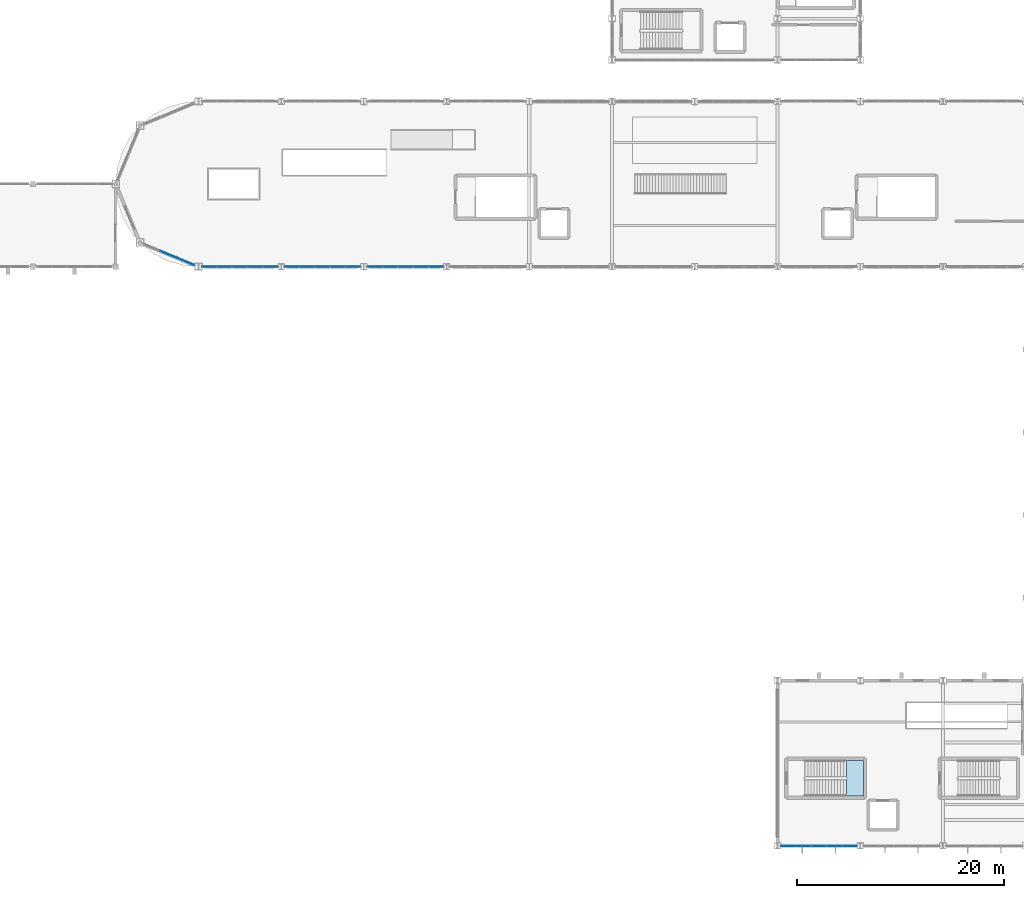
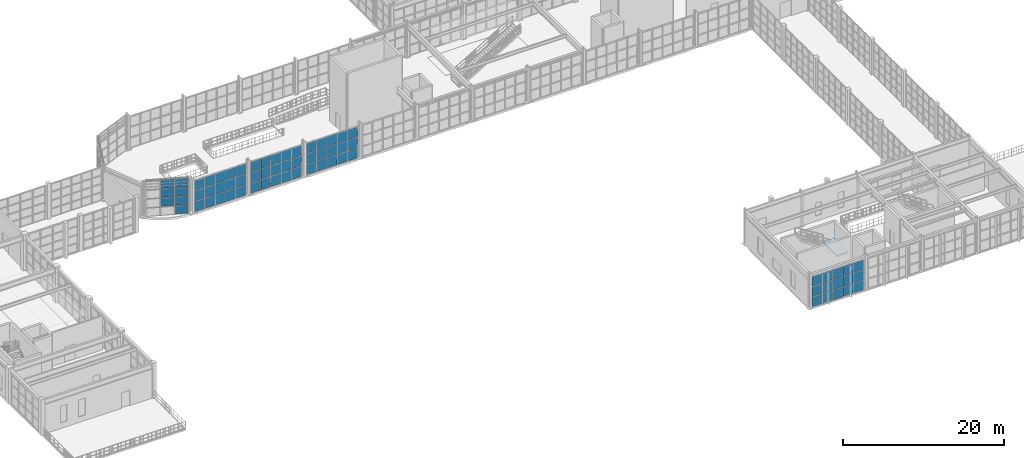
# One storey, part 49 of 82: 67 plates, 1 slab, 6 elements without a shape of their own.
"""IFC4 building model written with IfcOpenShell, lengths in metres."""

import ifcopenshell
import ifcopenshell.guid

model = None  # the IFC model being written
_history = None  # IfcOwnerHistory: only IFC2X3 demands one
_inside = {}  # id of a spatial element -> (the spatial element, [elements in it])
_under = {}  # id of a project, library or spatial element -> (it, [spatial elements below it])
_declared = {}  # id of a project -> (the project, [libraries it declares])
_typed = {}  # id of a type object -> (the type object, [elements of that type])
_made_of = {}  # id of a material, layer set ... -> (it, [elements and type objects made of it])


def new_model(schema):
    """Start an empty IFC model of exactly this schema.

    Asked for "IFC4X3", IfcOpenShell would pick the latest addendum, in which some entities
    have other attributes; the version numbers below select the first issue.
    IFC2X3 requires an IfcOwnerHistory on every rooted entity: one is made here for all.
    """
    global model, _history
    if schema == "IFC4X3":
        model = ifcopenshell.file(schema_version=(4, 3, 0, 0))
    else:
        model = ifcopenshell.file(schema=schema)
    _inside.clear()
    _under.clear()
    _declared.clear()
    _typed.clear()
    _made_of.clear()
    _history = None
    if model.schema == "IFC2X3":
        org = make("IfcOrganization", Name="unknown")
        user = make(
            "IfcPersonAndOrganization",
            ThePerson=make("IfcPerson", FamilyName="unknown"),
            TheOrganization=org,
        )
        app = make(
            "IfcApplication",
            ApplicationDeveloper=org,
            Version="unknown",
            ApplicationFullName="unknown",
            ApplicationIdentifier="unknown",
        )
        _history = make(
            "IfcOwnerHistory",
            OwningUser=user,
            OwningApplication=app,
            ChangeAction="ADDED",
            CreationDate=0,
        )
    return model


def make(cls, **values):
    """One entity of the class cls with the attributes given. An attribute that is None is left unset."""
    return model.create_entity(
        cls, **{name: value for name, value in values.items() if value is not None}
    )


def rooted(cls, **values):
    """An entity with a GlobalId (a new one), such as an element, a storey or a relation."""
    return make(cls, GlobalId=ifcopenshell.guid.new(), OwnerHistory=_history, **values)


def si_unit(unit_type, name, prefix=None):
    """IfcSIUnit, for example si_unit("LENGTHUNIT", "METRE", prefix="MILLI")."""
    return make("IfcSIUnit", UnitType=unit_type, Prefix=prefix, Name=name)


def assignment(units):
    """IfcUnitAssignment: the units of a project."""
    return None if units is None else make("IfcUnitAssignment", Units=units)


def point(xyz):
    """IfcCartesianPoint."""
    return None if xyz is None else make("IfcCartesianPoint", Coordinates=xyz)


def direction(xyz):
    """IfcDirection."""
    return None if xyz is None else make("IfcDirection", DirectionRatios=xyz)


def frame(location, z_axis=None, x_axis=None):
    """IfcAxis2Placement3D, a coordinate frame: its origin and axes. An axis left out is left unset."""
    return make(
        "IfcAxis2Placement3D",
        Location=point(location),
        Axis=direction(z_axis),
        RefDirection=direction(x_axis),
    )


def frame_2d(location, x_axis=None):
    """IfcAxis2Placement2D, a coordinate frame in the plane: its origin and x axis."""
    return make(
        "IfcAxis2Placement2D", Location=point(location), RefDirection=direction(x_axis)
    )


def origin():
    """The frame at (0, 0, 0) with its axes left unset."""
    return frame((0.0, 0.0, 0.0))


def origin_2d():
    """The frame at (0, 0) in the plane with its x axis left unset."""
    return frame_2d((0.0, 0.0))


def place(relative_to, where):
    """IfcLocalPlacement: puts the frame where relative to a parent placement (None: the world)."""
    return make(
        "IfcLocalPlacement", PlacementRelTo=relative_to, RelativePlacement=where
    )


def context(
    kind, dimensions, precision=None, world=None, true_north=None, identifier=None
):
    """IfcGeometricRepresentationContext, for example the 3D "Model" context."""
    return make(
        "IfcGeometricRepresentationContext",
        ContextIdentifier=identifier,
        ContextType=kind,
        CoordinateSpaceDimension=dimensions,
        Precision=precision,
        WorldCoordinateSystem=world,
        TrueNorth=true_north,
    )


def subcontext(parent, identifier, kind, view, scale=None):
    """IfcGeometricRepresentationSubContext, for example "Body" below "Model"."""
    return make(
        "IfcGeometricRepresentationSubContext",
        ContextIdentifier=identifier,
        ContextType=kind,
        ParentContext=parent,
        TargetScale=scale,
        TargetView=view,
    )


def project(units=None, contexts=None):
    """IfcProject with its units and contexts."""
    return rooted(
        "IfcProject",
        Name="project",
        RepresentationContexts=contexts,
        UnitsInContext=assignment(units),
    )


def spatial(cls, under=None, at=None, **own):
    """A site, building, storey or space (cls), placed at a placement, below another one or the project."""
    s = rooted(cls, ObjectPlacement=at, **own)
    if under is not None:
        _under.setdefault(under.id(), (under, []))[1].append(s)
    return s


def polyline(points):
    """IfcPolyline through the points."""
    return make("IfcPolyline", Points=[point(p) for p in points])


def profile(cls, at=None, kind="AREA", **sizes):
    """A parametric profile (cls). Its sizes go by their IFC names, for example OverallWidth=200.0."""
    return make(cls, ProfileType=kind, Position=at, **sizes)


def rectangle(**sizes):
    """IfcRectangleProfileDef."""
    return profile("IfcRectangleProfileDef", **sizes)


def outline(outer, holes=None, kind="AREA"):
    """IfcArbitraryClosedProfileDef: a profile drawn as a closed curve; with holes, ...WithVoids."""
    if holes is None:
        return make("IfcArbitraryClosedProfileDef", ProfileType=kind, OuterCurve=outer)
    return make(
        "IfcArbitraryProfileDefWithVoids",
        ProfileType=kind,
        OuterCurve=outer,
        InnerCurves=holes,
    )


def extrude(swept, where, along, depth):
    """IfcExtrudedAreaSolid: the profile swept, set in the frame where, extruded along a direction by depth."""
    return make(
        "IfcExtrudedAreaSolid",
        SweptArea=swept,
        Position=where,
        ExtrudedDirection=direction(along),
        Depth=depth,
    )


def shape(context_of_items, identifier, shape_type, items):
    """IfcShapeRepresentation: the items that make up one representation, for example the "Body"."""
    return make(
        "IfcShapeRepresentation",
        ContextOfItems=context_of_items,
        RepresentationIdentifier=identifier,
        RepresentationType=shape_type,
        Items=items,
    )


def material(Name=None, Category=None):
    """IfcMaterial."""
    return make("IfcMaterial", Name=Name, Category=Category)


def layer(
    of_material, thickness, ventilated=None, Name=None, Category=None, Priority=None
):
    """IfcMaterialLayer: one layer of a wall or slab, of a material (None: an air gap)."""
    return make(
        "IfcMaterialLayer",
        Material=of_material,
        LayerThickness=thickness,
        IsVentilated=ventilated,
        Name=Name,
        Category=Category,
        Priority=Priority,
    )


def layer_set(layers, Name=None):
    """IfcMaterialLayerSet."""
    return make("IfcMaterialLayerSet", MaterialLayers=layers, LayerSetName=Name)


def made_of(thing, what):
    """Note that an element or type object is made of a material, layer set ...; save() writes the relation."""
    if what is not None:
        _made_of.setdefault(what.id(), (what, []))[1].append(thing)
    return thing


def type_object(cls, material=None, **own):
    """A type object (cls), such as IfcWallType, which elements share."""
    return made_of(rooted(cls, **own), material)


def element(
    cls,
    number,
    at=None,
    inside=None,
    cuts=None,
    type_object=None,
    material=None,
    context=None,
    identifier="Body",
    shape_type=None,
    held_by="IfcProductDefinitionShape",
    body=None,
    shapes=None,
    **own,
):
    """One element of the class cls, such as IfcWall. Its Tag is "e" and its number.

    at: its placement. inside: the storey or other place that contains it. cuts: it is an
    opening in that element (IfcRelVoidsElement). A single representation is given by context,
    identifier, shape_type and body (its items); several are given by shapes. held_by: the class
    of the entity that holds the representations. save() writes the other relations.
    """
    e = rooted(cls, Tag="e%d" % number, ObjectPlacement=at, **own)
    if body is not None:
        shapes = [shape(context, identifier, shape_type, body)]
    if shapes is not None:
        e.Representation = make(held_by, Representations=shapes)
    if inside is not None:
        _inside.setdefault(inside.id(), (inside, []))[1].append(e)
    if cuts is not None:
        rooted(
            "IfcRelVoidsElement", RelatingBuildingElement=cuts, RelatedOpeningElement=e
        )
    if type_object is not None:
        _typed.setdefault(type_object.id(), (type_object, []))[1].append(e)
    return made_of(e, material)


def aggregate(whole, parts):
    """IfcRelAggregates: a whole, such as a stair, and the parts it consists of."""
    return rooted("IfcRelAggregates", RelatingObject=whole, RelatedObjects=parts)


def save(model, path):
    """Write the relations noted so far, then the file.

    IfcRelAggregates (storeys below a building ...), IfcRelContainedInSpatialStructure (elements
    in a storey), IfcRelDefinesByType, IfcRelAssociatesMaterial and IfcRelDeclares: one each for
    every whole, place, type object, material and project.
    """
    for whole, parts in _under.values():
        aggregate(whole, parts)
    for where, things in _inside.values():
        rooted(
            "IfcRelContainedInSpatialStructure",
            RelatedElements=things,
            RelatingStructure=where,
        )
    for kind, things in _typed.values():
        rooted("IfcRelDefinesByType", RelatedObjects=things, RelatingType=kind)
    for what, things in _made_of.values():
        rooted("IfcRelAssociatesMaterial", RelatedObjects=things, RelatingMaterial=what)
    for by, libraries in _declared.values():
        rooted("IfcRelDeclares", RelatingContext=by, RelatedDefinitions=libraries)
    model.write(path)


model = new_model("IFC4")

# Units and contexts
model_context = context("Model", 3, precision=1e-05, world=origin(), true_north=direction((0.0, 1.0)))
body_context = subcontext(model_context, "Body", "Model", "MODEL_VIEW")
ifc_project = project(units=[si_unit("LENGTHUNIT", "METRE"), si_unit("AREAUNIT", "SQUARE_METRE"), si_unit("VOLUMEUNIT", "CUBIC_METRE"), si_unit("PLANEANGLEUNIT", "RADIAN"), si_unit("MASSUNIT", "GRAM", prefix="KILO")], contexts=[model_context])

# Site, building, storey
site_placement = place(None, origin())
site = spatial("IfcSite", under=ifc_project, at=site_placement, CompositionType="ELEMENT")
building_placement = place(site_placement, origin())
building = spatial("IfcBuilding", under=site, at=building_placement, Name="Serraluz Foothill Cableway Terminal", CompositionType="ELEMENT")
storey_placement = place(building_placement, frame((0.0, 0.0, 9.60009765625)))
storey = spatial("IfcBuildingStorey", under=building, at=storey_placement, Name="L02", CompositionType="ELEMENT", Elevation=9.60009765625)

# Curtain wall, plates
ifc_material_1 = material(Name="Architectural bronze alloy C28000", Category="aluminium")
curtain_wall_type_1 = type_object("IfcCurtainWallType", Name="TYP-CW-740X440", PredefinedType="NOTDEFINED", material=ifc_material_1)
curtain_wall_1_placement = place(storey_placement, origin())
curtain_wall_1 = element("IfcCurtainWall", 1, at=curtain_wall_1_placement, inside=storey, type_object=curtain_wall_type_1, Name="Ribbed Glazed Curtain Wall CW-V1S-L02-40", PredefinedType="NOTDEFINED")
ifc_material_2 = material(Name="Translucent ribbed laminated channel glass", Category="glass")
ifc_layer_1 = layer(ifc_material_2, 0.028076171875, Name="Translucent ribbed laminated channel glass", Category="glass")
ifc_layer_set_1 = layer_set([ifc_layer_1], Name="Translucent ribbed laminated channel glass")
plate_type_1 = type_object("IfcPlateType", Name="TYP-CW-PNL-28", PredefinedType="CURTAIN_PANEL", material=ifc_layer_set_1)
plate_1_placement = place(storey_placement, frame((46.9619140625, 56.0, 0.06005859375), z_axis=(0.0, 0.0, 1.0), x_axis=(-1.0, 0.0, 0.0)))
plate_1 = element("IfcPlate", 2, at=plate_1_placement, type_object=plate_type_1, Name="CW-06 panel 1.1", PredefinedType="CURTAIN_PANEL", context=body_context, shape_type="SweptSolid", body=[
    extrude(rectangle(XDim=1.393310546875, YDim=0.028076171875, at=origin_2d()), origin(), (0.0, 0.0, 1.0), 1.526611328125),
])
plate_2_placement = place(storey_placement, frame((46.9619140625, 56.0, 1.646484375), z_axis=(0.0, 0.0, 1.0), x_axis=(-1.0, 0.0, 0.0)))
plate_2 = element("IfcPlate", 3, at=plate_2_placement, type_object=plate_type_1, Name="CW-06 panel 1.2", PredefinedType="CURTAIN_PANEL", context=body_context, shape_type="SweptSolid", body=[
    extrude(rectangle(XDim=1.393310546875, YDim=0.028076171875, at=origin_2d()), origin(), (0.0, 0.0, 1.0), 1.556640625),
])
plate_3_placement = place(storey_placement, frame((46.9619140625, 56.0, 3.26318359375), z_axis=(0.0, 0.0, 1.0), x_axis=(-1.0, 0.0, 0.0)))
plate_3 = element("IfcPlate", 4, at=plate_3_placement, type_object=plate_type_1, Name="CW-06 panel 1.3", PredefinedType="CURTAIN_PANEL", context=body_context, shape_type="SweptSolid", body=[
    extrude(rectangle(XDim=1.393310546875, YDim=0.028076171875, at=origin_2d()), origin(), (0.0, 0.0, 1.0), 1.526611328125),
])
plate_4_placement = place(storey_placement, frame((45.49365234375, 56.0, 0.06005859375), z_axis=(0.0, 0.0, 1.0), x_axis=(-1.0, 0.0, 0.0)))
plate_4 = element("IfcPlate", 5, at=plate_4_placement, type_object=plate_type_1, Name="CW-06 panel 2.1", PredefinedType="CURTAIN_PANEL", context=body_context, shape_type="SweptSolid", body=[
    extrude(rectangle(XDim=1.423095703125, YDim=0.028076171875, at=origin_2d()), origin(), (0.0, 0.0, 1.0), 1.526611328125),
])
plate_5_placement = place(storey_placement, frame((45.49365234375, 56.0, 1.646484375), z_axis=(0.0, 0.0, 1.0), x_axis=(-1.0, 0.0, 0.0)))
plate_5 = element("IfcPlate", 6, at=plate_5_placement, type_object=plate_type_1, Name="CW-06 panel 2.2", PredefinedType="CURTAIN_PANEL", context=body_context, shape_type="SweptSolid", body=[
    extrude(rectangle(XDim=1.423095703125, YDim=0.028076171875, at=origin_2d()), origin(), (0.0, 0.0, 1.0), 1.556640625),
])
plate_6_placement = place(storey_placement, frame((45.49365234375, 56.0, 3.26318359375), z_axis=(0.0, 0.0, 1.0), x_axis=(-1.0, 0.0, 0.0)))
plate_6 = element("IfcPlate", 7, at=plate_6_placement, type_object=plate_type_1, Name="CW-06 panel 2.3", PredefinedType="CURTAIN_PANEL", context=body_context, shape_type="SweptSolid", body=[
    extrude(rectangle(XDim=1.423095703125, YDim=0.028076171875, at=origin_2d()), origin(), (0.0, 0.0, 1.0), 1.526611328125),
])
plate_7_placement = place(storey_placement, frame((44.010498046875, 56.0, 0.06005859375), z_axis=(0.0, 0.0, 1.0), x_axis=(-1.0, 0.0, 0.0)))
plate_7 = element("IfcPlate", 8, at=plate_7_placement, type_object=plate_type_1, Name="CW-06 panel 3.1", PredefinedType="CURTAIN_PANEL", context=body_context, shape_type="SweptSolid", body=[
    extrude(rectangle(XDim=1.423095703125, YDim=0.028076171875, at=origin_2d()), origin(), (0.0, 0.0, 1.0), 1.526611328125),
])
plate_8_placement = place(storey_placement, frame((44.010498046875, 56.0, 1.646484375), z_axis=(0.0, 0.0, 1.0), x_axis=(-1.0, 0.0, 0.0)))
plate_8 = element("IfcPlate", 9, at=plate_8_placement, type_object=plate_type_1, Name="CW-06 panel 3.2", PredefinedType="CURTAIN_PANEL", context=body_context, shape_type="SweptSolid", body=[
    extrude(rectangle(XDim=1.423095703125, YDim=0.028076171875, at=origin_2d()), origin(), (0.0, 0.0, 1.0), 1.556640625),
])
plate_9_placement = place(storey_placement, frame((44.010498046875, 56.0, 3.26318359375), z_axis=(0.0, 0.0, 1.0), x_axis=(-1.0, 0.0, 0.0)))
plate_9 = element("IfcPlate", 10, at=plate_9_placement, type_object=plate_type_1, Name="CW-06 panel 3.3", PredefinedType="CURTAIN_PANEL", context=body_context, shape_type="SweptSolid", body=[
    extrude(rectangle(XDim=1.423095703125, YDim=0.028076171875, at=origin_2d()), origin(), (0.0, 0.0, 1.0), 1.526611328125),
])
plate_10_placement = place(storey_placement, frame((42.52734375, 56.0, 0.06005859375), z_axis=(0.0, 0.0, 1.0), x_axis=(-1.0, 0.0, 0.0)))
plate_10 = element("IfcPlate", 11, at=plate_10_placement, type_object=plate_type_1, Name="CW-06 panel 4.1", PredefinedType="CURTAIN_PANEL", context=body_context, shape_type="SweptSolid", body=[
    extrude(rectangle(XDim=1.423095703125, YDim=0.028076171875, at=origin_2d()), origin(), (0.0, 0.0, 1.0), 1.526611328125),
])
plate_11_placement = place(storey_placement, frame((42.52734375, 56.0, 1.646484375), z_axis=(0.0, 0.0, 1.0), x_axis=(-1.0, 0.0, 0.0)))
plate_11 = element("IfcPlate", 12, at=plate_11_placement, type_object=plate_type_1, Name="CW-06 panel 4.2", PredefinedType="CURTAIN_PANEL", context=body_context, shape_type="SweptSolid", body=[
    extrude(rectangle(XDim=1.423095703125, YDim=0.028076171875, at=origin_2d()), origin(), (0.0, 0.0, 1.0), 1.556640625),
])
plate_12_placement = place(storey_placement, frame((42.52734375, 56.0, 3.26318359375), z_axis=(0.0, 0.0, 1.0), x_axis=(-1.0, 0.0, 0.0)))
plate_12 = element("IfcPlate", 13, at=plate_12_placement, type_object=plate_type_1, Name="CW-06 panel 4.3", PredefinedType="CURTAIN_PANEL", context=body_context, shape_type="SweptSolid", body=[
    extrude(rectangle(XDim=1.423095703125, YDim=0.028076171875, at=origin_2d()), origin(), (0.0, 0.0, 1.0), 1.526611328125),
])
plate_13_placement = place(storey_placement, frame((41.05908203125, 56.0, 0.06005859375), z_axis=(0.0, 0.0, 1.0), x_axis=(-1.0, 0.0, 0.0)))
plate_13 = element("IfcPlate", 14, at=plate_13_placement, type_object=plate_type_1, Name="CW-06 panel 5.1", PredefinedType="CURTAIN_PANEL", context=body_context, shape_type="SweptSolid", body=[
    extrude(rectangle(XDim=1.393310546875, YDim=0.028076171875, at=origin_2d()), origin(), (0.0, 0.0, 1.0), 1.526611328125),
])
plate_14_placement = place(storey_placement, frame((41.05908203125, 56.0, 1.646484375), z_axis=(0.0, 0.0, 1.0), x_axis=(-1.0, 0.0, 0.0)))
plate_14 = element("IfcPlate", 15, at=plate_14_placement, type_object=plate_type_1, Name="CW-06 panel 5.2", PredefinedType="CURTAIN_PANEL", context=body_context, shape_type="SweptSolid", body=[
    extrude(rectangle(XDim=1.393310546875, YDim=0.028076171875, at=origin_2d()), origin(), (0.0, 0.0, 1.0), 1.556640625),
])
plate_15_placement = place(storey_placement, frame((41.05908203125, 56.0, 3.26318359375), z_axis=(0.0, 0.0, 1.0), x_axis=(-1.0, 0.0, 0.0)))
plate_15 = element("IfcPlate", 16, at=plate_15_placement, type_object=plate_type_1, Name="CW-06 panel 5.3", PredefinedType="CURTAIN_PANEL", context=body_context, shape_type="SweptSolid", body=[
    extrude(rectangle(XDim=1.393310546875, YDim=0.028076171875, at=origin_2d()), origin(), (0.0, 0.0, 1.0), 1.526611328125),
])
aggregate(curtain_wall_1, [plate_1, plate_2, plate_3, plate_4, plate_5, plate_6, plate_7, plate_8, plate_9, plate_10, plate_11, plate_12, plate_13, plate_14, plate_15])

curtain_wall_type_2 = type_object("IfcCurtainWallType", Name="TYP-CW-740X490", PredefinedType="NOTDEFINED", material=ifc_material_1)
curtain_wall_2_placement = place(storey_placement, origin())
curtain_wall_2 = element("IfcCurtainWall", 17, at=curtain_wall_2_placement, inside=storey, type_object=curtain_wall_type_2, Name="Ribbed Glazed Curtain Wall CW-V1S-L02-48", PredefinedType="NOTDEFINED")
plate_16_placement = place(storey_placement, frame((54.94091796875, 56.0, 0.06005859375), z_axis=(0.0, 0.0, 1.0), x_axis=(-1.0, 0.0, 0.0)))
plate_16 = element("IfcPlate", 18, at=plate_16_placement, type_object=plate_type_1, Name="CW-07 panel 1.1", PredefinedType="CURTAIN_PANEL", context=body_context, shape_type="SweptSolid", body=[
    extrude(rectangle(XDim=1.393310546875, YDim=0.028076171875, at=origin_2d()), origin(), (0.0, 0.0, 1.0), 1.526611328125),
])
plate_17_placement = place(storey_placement, frame((54.94091796875, 56.0, 1.646484375), z_axis=(0.0, 0.0, 1.0), x_axis=(-1.0, 0.0, 0.0)))
plate_17 = element("IfcPlate", 19, at=plate_17_placement, type_object=plate_type_1, Name="CW-07 panel 1.2", PredefinedType="CURTAIN_PANEL", context=body_context, shape_type="SweptSolid", body=[
    extrude(rectangle(XDim=1.393310546875, YDim=0.028076171875, at=origin_2d()), origin(), (0.0, 0.0, 1.0), 1.556640625),
])
plate_18_placement = place(storey_placement, frame((54.94091796875, 56.0, 3.26318359375), z_axis=(0.0, 0.0, 1.0), x_axis=(-1.0, 0.0, 0.0)))
plate_18 = element("IfcPlate", 20, at=plate_18_placement, type_object=plate_type_1, Name="CW-07 panel 1.3", PredefinedType="CURTAIN_PANEL", context=body_context, shape_type="SweptSolid", body=[
    extrude(rectangle(XDim=1.393310546875, YDim=0.028076171875, at=origin_2d()), origin(), (0.0, 0.0, 1.0), 1.526611328125),
])
plate_19_placement = place(storey_placement, frame((53.47265625, 56.0, 0.06005859375), z_axis=(0.0, 0.0, 1.0), x_axis=(-1.0, 0.0, 0.0)))
plate_19 = element("IfcPlate", 21, at=plate_19_placement, type_object=plate_type_1, Name="CW-07 panel 2.1", PredefinedType="CURTAIN_PANEL", context=body_context, shape_type="SweptSolid", body=[
    extrude(rectangle(XDim=1.423095703125, YDim=0.028076171875, at=origin_2d()), origin(), (0.0, 0.0, 1.0), 1.526611328125),
])
plate_20_placement = place(storey_placement, frame((53.47265625, 56.0, 1.646484375), z_axis=(0.0, 0.0, 1.0), x_axis=(-1.0, 0.0, 0.0)))
plate_20 = element("IfcPlate", 22, at=plate_20_placement, type_object=plate_type_1, Name="CW-07 panel 2.2", PredefinedType="CURTAIN_PANEL", context=body_context, shape_type="SweptSolid", body=[
    extrude(rectangle(XDim=1.423095703125, YDim=0.028076171875, at=origin_2d()), origin(), (0.0, 0.0, 1.0), 1.556640625),
])
plate_21_placement = place(storey_placement, frame((53.47265625, 56.0, 3.26318359375), z_axis=(0.0, 0.0, 1.0), x_axis=(-1.0, 0.0, 0.0)))
plate_21 = element("IfcPlate", 23, at=plate_21_placement, type_object=plate_type_1, Name="CW-07 panel 2.3", PredefinedType="CURTAIN_PANEL", context=body_context, shape_type="SweptSolid", body=[
    extrude(rectangle(XDim=1.423095703125, YDim=0.028076171875, at=origin_2d()), origin(), (0.0, 0.0, 1.0), 1.526611328125),
])
plate_22_placement = place(storey_placement, frame((51.989501953125, 56.0, 0.06005859375), z_axis=(0.0, 0.0, 1.0), x_axis=(-1.0, 0.0, 0.0)))
plate_22 = element("IfcPlate", 24, at=plate_22_placement, type_object=plate_type_1, Name="CW-07 panel 3.1", PredefinedType="CURTAIN_PANEL", context=body_context, shape_type="SweptSolid", body=[
    extrude(rectangle(XDim=1.423095703125, YDim=0.028076171875, at=origin_2d()), origin(), (0.0, 0.0, 1.0), 1.526611328125),
])
plate_23_placement = place(storey_placement, frame((51.989501953125, 56.0, 1.646484375), z_axis=(0.0, 0.0, 1.0), x_axis=(-1.0, 0.0, 0.0)))
plate_23 = element("IfcPlate", 25, at=plate_23_placement, type_object=plate_type_1, Name="CW-07 panel 3.2", PredefinedType="CURTAIN_PANEL", context=body_context, shape_type="SweptSolid", body=[
    extrude(rectangle(XDim=1.423095703125, YDim=0.028076171875, at=origin_2d()), origin(), (0.0, 0.0, 1.0), 1.556640625),
])
plate_24_placement = place(storey_placement, frame((51.989501953125, 56.0, 3.26318359375), z_axis=(0.0, 0.0, 1.0), x_axis=(-1.0, 0.0, 0.0)))
plate_24 = element("IfcPlate", 26, at=plate_24_placement, type_object=plate_type_1, Name="CW-07 panel 3.3", PredefinedType="CURTAIN_PANEL", context=body_context, shape_type="SweptSolid", body=[
    extrude(rectangle(XDim=1.423095703125, YDim=0.028076171875, at=origin_2d()), origin(), (0.0, 0.0, 1.0), 1.526611328125),
])
plate_25_placement = place(storey_placement, frame((50.50634765625, 56.0, 0.06005859375), z_axis=(0.0, 0.0, 1.0), x_axis=(-1.0, 0.0, 0.0)))
plate_25 = element("IfcPlate", 27, at=plate_25_placement, type_object=plate_type_1, Name="CW-07 panel 4.1", PredefinedType="CURTAIN_PANEL", context=body_context, shape_type="SweptSolid", body=[
    extrude(rectangle(XDim=1.423095703125, YDim=0.028076171875, at=origin_2d()), origin(), (0.0, 0.0, 1.0), 1.526611328125),
])
plate_26_placement = place(storey_placement, frame((50.50634765625, 56.0, 1.646484375), z_axis=(0.0, 0.0, 1.0), x_axis=(-1.0, 0.0, 0.0)))
plate_26 = element("IfcPlate", 28, at=plate_26_placement, type_object=plate_type_1, Name="CW-07 panel 4.2", PredefinedType="CURTAIN_PANEL", context=body_context, shape_type="SweptSolid", body=[
    extrude(rectangle(XDim=1.423095703125, YDim=0.028076171875, at=origin_2d()), origin(), (0.0, 0.0, 1.0), 1.556640625),
])
plate_27_placement = place(storey_placement, frame((50.50634765625, 56.0, 3.26318359375), z_axis=(0.0, 0.0, 1.0), x_axis=(-1.0, 0.0, 0.0)))
plate_27 = element("IfcPlate", 29, at=plate_27_placement, type_object=plate_type_1, Name="CW-07 panel 4.3", PredefinedType="CURTAIN_PANEL", context=body_context, shape_type="SweptSolid", body=[
    extrude(rectangle(XDim=1.423095703125, YDim=0.028076171875, at=origin_2d()), origin(), (0.0, 0.0, 1.0), 1.526611328125),
])
plate_28_placement = place(storey_placement, frame((49.0380859375, 56.0, 0.06005859375), z_axis=(0.0, 0.0, 1.0), x_axis=(-1.0, 0.0, 0.0)))
plate_28 = element("IfcPlate", 30, at=plate_28_placement, type_object=plate_type_1, Name="CW-07 panel 5.1", PredefinedType="CURTAIN_PANEL", context=body_context, shape_type="SweptSolid", body=[
    extrude(rectangle(XDim=1.393310546875, YDim=0.028076171875, at=origin_2d()), origin(), (0.0, 0.0, 1.0), 1.526611328125),
])
plate_29_placement = place(storey_placement, frame((49.0380859375, 56.0, 1.646484375), z_axis=(0.0, 0.0, 1.0), x_axis=(-1.0, 0.0, 0.0)))
plate_29 = element("IfcPlate", 31, at=plate_29_placement, type_object=plate_type_1, Name="CW-07 panel 5.2", PredefinedType="CURTAIN_PANEL", context=body_context, shape_type="SweptSolid", body=[
    extrude(rectangle(XDim=1.393310546875, YDim=0.028076171875, at=origin_2d()), origin(), (0.0, 0.0, 1.0), 1.556640625),
])
plate_30_placement = place(storey_placement, frame((49.0380859375, 56.0, 3.26318359375), z_axis=(0.0, 0.0, 1.0), x_axis=(-1.0, 0.0, 0.0)))
plate_30 = element("IfcPlate", 32, at=plate_30_placement, type_object=plate_type_1, Name="CW-07 panel 5.3", PredefinedType="CURTAIN_PANEL", context=body_context, shape_type="SweptSolid", body=[
    extrude(rectangle(XDim=1.393310546875, YDim=0.028076171875, at=origin_2d()), origin(), (0.0, 0.0, 1.0), 1.526611328125),
])
aggregate(curtain_wall_2, [plate_16, plate_17, plate_18, plate_19, plate_20, plate_21, plate_22, plate_23, plate_24, plate_25, plate_26, plate_27, plate_28, plate_29, plate_30])

curtain_wall_type_3 = type_object("IfcCurtainWallType", Name="TYP-CW-520X440", PredefinedType="NOTDEFINED", material=ifc_material_1)
curtain_wall_3_placement = place(storey_placement, origin())
curtain_wall_3 = element("IfcCurtainWall", 33, at=curtain_wall_3_placement, inside=storey, type_object=curtain_wall_type_3, Name="Ribbed Glazed Curtain Wall CW-V1S-L02-56", PredefinedType="NOTDEFINED")
plate_31_placement = place(storey_placement, frame((62.9619140625, 56.0, 0.06005859375), z_axis=(0.0, 0.0, 1.0), x_axis=(-1.0, 0.0, 0.0)))
plate_31 = element("IfcPlate", 34, at=plate_31_placement, type_object=plate_type_1, Name="CW-08 panel 1.1", PredefinedType="CURTAIN_PANEL", context=body_context, shape_type="SweptSolid", body=[
    extrude(rectangle(XDim=1.393310546875, YDim=0.028076171875, at=origin_2d()), origin(), (0.0, 0.0, 1.0), 1.526611328125),
])
plate_32_placement = place(storey_placement, frame((62.9619140625, 56.0, 1.646484375), z_axis=(0.0, 0.0, 1.0), x_axis=(-1.0, 0.0, 0.0)))
plate_32 = element("IfcPlate", 35, at=plate_32_placement, type_object=plate_type_1, Name="CW-08 panel 1.2", PredefinedType="CURTAIN_PANEL", context=body_context, shape_type="SweptSolid", body=[
    extrude(rectangle(XDim=1.393310546875, YDim=0.028076171875, at=origin_2d()), origin(), (0.0, 0.0, 1.0), 1.556640625),
])
plate_33_placement = place(storey_placement, frame((62.9619140625, 56.0, 3.26318359375), z_axis=(0.0, 0.0, 1.0), x_axis=(-1.0, 0.0, 0.0)))
plate_33 = element("IfcPlate", 36, at=plate_33_placement, type_object=plate_type_1, Name="CW-08 panel 1.3", PredefinedType="CURTAIN_PANEL", context=body_context, shape_type="SweptSolid", body=[
    extrude(rectangle(XDim=1.393310546875, YDim=0.028076171875, at=origin_2d()), origin(), (0.0, 0.0, 1.0), 1.526611328125),
])
plate_34_placement = place(storey_placement, frame((61.49365234375, 56.0, 0.06005859375), z_axis=(0.0, 0.0, 1.0), x_axis=(-1.0, 0.0, 0.0)))
plate_34 = element("IfcPlate", 37, at=plate_34_placement, type_object=plate_type_1, Name="CW-08 panel 2.1", PredefinedType="CURTAIN_PANEL", context=body_context, shape_type="SweptSolid", body=[
    extrude(rectangle(XDim=1.423095703125, YDim=0.028076171875, at=origin_2d()), origin(), (0.0, 0.0, 1.0), 1.526611328125),
])
plate_35_placement = place(storey_placement, frame((61.49365234375, 56.0, 1.646484375), z_axis=(0.0, 0.0, 1.0), x_axis=(-1.0, 0.0, 0.0)))
plate_35 = element("IfcPlate", 38, at=plate_35_placement, type_object=plate_type_1, Name="CW-08 panel 2.2", PredefinedType="CURTAIN_PANEL", context=body_context, shape_type="SweptSolid", body=[
    extrude(rectangle(XDim=1.423095703125, YDim=0.028076171875, at=origin_2d()), origin(), (0.0, 0.0, 1.0), 1.556640625),
])
plate_36_placement = place(storey_placement, frame((61.49365234375, 56.0, 3.26318359375), z_axis=(0.0, 0.0, 1.0), x_axis=(-1.0, 0.0, 0.0)))
plate_36 = element("IfcPlate", 39, at=plate_36_placement, type_object=plate_type_1, Name="CW-08 panel 2.3", PredefinedType="CURTAIN_PANEL", context=body_context, shape_type="SweptSolid", body=[
    extrude(rectangle(XDim=1.423095703125, YDim=0.028076171875, at=origin_2d()), origin(), (0.0, 0.0, 1.0), 1.526611328125),
])
plate_37_placement = place(storey_placement, frame((60.010498046875, 56.0, 0.06005859375), z_axis=(0.0, 0.0, 1.0), x_axis=(-1.0, 0.0, 0.0)))
plate_37 = element("IfcPlate", 40, at=plate_37_placement, type_object=plate_type_1, Name="CW-08 panel 3.1", PredefinedType="CURTAIN_PANEL", context=body_context, shape_type="SweptSolid", body=[
    extrude(rectangle(XDim=1.423095703125, YDim=0.028076171875, at=origin_2d()), origin(), (0.0, 0.0, 1.0), 1.526611328125),
])
plate_38_placement = place(storey_placement, frame((60.010498046875, 56.0, 1.646484375), z_axis=(0.0, 0.0, 1.0), x_axis=(-1.0, 0.0, 0.0)))
plate_38 = element("IfcPlate", 41, at=plate_38_placement, type_object=plate_type_1, Name="CW-08 panel 3.2", PredefinedType="CURTAIN_PANEL", context=body_context, shape_type="SweptSolid", body=[
    extrude(rectangle(XDim=1.423095703125, YDim=0.028076171875, at=origin_2d()), origin(), (0.0, 0.0, 1.0), 1.556640625),
])
plate_39_placement = place(storey_placement, frame((60.010498046875, 56.0, 3.26318359375), z_axis=(0.0, 0.0, 1.0), x_axis=(-1.0, 0.0, 0.0)))
plate_39 = element("IfcPlate", 42, at=plate_39_placement, type_object=plate_type_1, Name="CW-08 panel 3.3", PredefinedType="CURTAIN_PANEL", context=body_context, shape_type="SweptSolid", body=[
    extrude(rectangle(XDim=1.423095703125, YDim=0.028076171875, at=origin_2d()), origin(), (0.0, 0.0, 1.0), 1.526611328125),
])
plate_40_placement = place(storey_placement, frame((58.52734375, 56.0, 0.06005859375), z_axis=(0.0, 0.0, 1.0), x_axis=(-1.0, 0.0, 0.0)))
plate_40 = element("IfcPlate", 43, at=plate_40_placement, type_object=plate_type_1, Name="CW-08 panel 4.1", PredefinedType="CURTAIN_PANEL", context=body_context, shape_type="SweptSolid", body=[
    extrude(rectangle(XDim=1.423095703125, YDim=0.028076171875, at=origin_2d()), origin(), (0.0, 0.0, 1.0), 1.526611328125),
])
plate_41_placement = place(storey_placement, frame((58.52734375, 56.0, 1.646484375), z_axis=(0.0, 0.0, 1.0), x_axis=(-1.0, 0.0, 0.0)))
plate_41 = element("IfcPlate", 44, at=plate_41_placement, type_object=plate_type_1, Name="CW-08 panel 4.2", PredefinedType="CURTAIN_PANEL", context=body_context, shape_type="SweptSolid", body=[
    extrude(rectangle(XDim=1.423095703125, YDim=0.028076171875, at=origin_2d()), origin(), (0.0, 0.0, 1.0), 1.556640625),
])
plate_42_placement = place(storey_placement, frame((58.52734375, 56.0, 3.26318359375), z_axis=(0.0, 0.0, 1.0), x_axis=(-1.0, 0.0, 0.0)))
plate_42 = element("IfcPlate", 45, at=plate_42_placement, type_object=plate_type_1, Name="CW-08 panel 4.3", PredefinedType="CURTAIN_PANEL", context=body_context, shape_type="SweptSolid", body=[
    extrude(rectangle(XDim=1.423095703125, YDim=0.028076171875, at=origin_2d()), origin(), (0.0, 0.0, 1.0), 1.526611328125),
])
plate_43_placement = place(storey_placement, frame((57.05908203125, 56.0, 0.06005859375), z_axis=(0.0, 0.0, 1.0), x_axis=(-1.0, 0.0, 0.0)))
plate_43 = element("IfcPlate", 46, at=plate_43_placement, type_object=plate_type_1, Name="CW-08 panel 5.1", PredefinedType="CURTAIN_PANEL", context=body_context, shape_type="SweptSolid", body=[
    extrude(rectangle(XDim=1.393310546875, YDim=0.028076171875, at=origin_2d()), origin(), (0.0, 0.0, 1.0), 1.526611328125),
])
plate_44_placement = place(storey_placement, frame((57.05908203125, 56.0, 1.646484375), z_axis=(0.0, 0.0, 1.0), x_axis=(-1.0, 0.0, 0.0)))
plate_44 = element("IfcPlate", 47, at=plate_44_placement, type_object=plate_type_1, Name="CW-08 panel 5.2", PredefinedType="CURTAIN_PANEL", context=body_context, shape_type="SweptSolid", body=[
    extrude(rectangle(XDim=1.393310546875, YDim=0.028076171875, at=origin_2d()), origin(), (0.0, 0.0, 1.0), 1.556640625),
])
plate_45_placement = place(storey_placement, frame((57.05908203125, 56.0, 3.26318359375), z_axis=(0.0, 0.0, 1.0), x_axis=(-1.0, 0.0, 0.0)))
plate_45 = element("IfcPlate", 48, at=plate_45_placement, type_object=plate_type_1, Name="CW-08 panel 5.3", PredefinedType="CURTAIN_PANEL", context=body_context, shape_type="SweptSolid", body=[
    extrude(rectangle(XDim=1.393310546875, YDim=0.028076171875, at=origin_2d()), origin(), (0.0, 0.0, 1.0), 1.526611328125),
])
aggregate(curtain_wall_3, [plate_31, plate_32, plate_33, plate_34, plate_35, plate_36, plate_37, plate_38, plate_39, plate_40, plate_41, plate_42, plate_43, plate_44, plate_45])

curtain_wall_type_4 = type_object("IfcCurtainWallType", Name="TYP-CW-480X380", PredefinedType="NOTDEFINED", material=ifc_material_1)
curtain_wall_4_placement = place(storey_placement, origin())
curtain_wall_4 = element("IfcCurtainWall", 49, at=curtain_wall_4_placement, inside=storey, type_object=curtain_wall_type_4, Name="Ribbed Glazed Curtain Wall CW-V1-W-L02-1", PredefinedType="NOTDEFINED")
ifc_material_3 = material(Name="Laminated low-E safety glass", Category="glass")
ifc_layer_2 = layer(ifc_material_3, 0.031982421875, Name="Laminated low-E safety glass", Category="glass")
ifc_layer_set_2 = layer_set([ifc_layer_2], Name="Laminated low-E safety glass")
plate_type_2 = type_object("IfcPlateType", Name="TYP-CW-PNL-32", PredefinedType="CURTAIN_PANEL", material=ifc_layer_set_2)
plate_46_placement = place(storey_placement, frame((38.784423828125, 56.50341796875, 0.054931640625), z_axis=(0.0, 0.0, 1.0), x_axis=(-0.923880260537, 0.382681674752, 0.0)))
plate_46 = element("IfcPlate", 50, at=plate_46_placement, type_object=plate_type_2, Name="CW-14 panel 1.1", PredefinedType="CURTAIN_PANEL", context=body_context, shape_type="SweptSolid", body=[
    extrude(rectangle(XDim=1.705322265625, YDim=0.031982421875, at=origin_2d()), origin(), (0.0, 0.0, 1.0), 1.2724609375),
])
plate_47_placement = place(storey_placement, frame((38.784423828125, 56.50341796875, 1.38232421875), z_axis=(0.0, 0.0, 1.0), x_axis=(-0.923880260537, 0.382681674752, 0.0)))
plate_47 = element("IfcPlate", 51, at=plate_47_placement, type_object=plate_type_2, Name="CW-14 panel 1.2", PredefinedType="CURTAIN_PANEL", context=body_context, shape_type="SweptSolid", body=[
    extrude(rectangle(XDim=1.705322265625, YDim=0.031982421875, at=origin_2d()), origin(), (0.0, 0.0, 1.0), 1.300048828125),
])
plate_48_placement = place(storey_placement, frame((38.784423828125, 56.50341796875, 2.7373046875), z_axis=(0.0, 0.0, 1.0), x_axis=(-0.923880260537, 0.382681674752, 0.0)))
plate_48 = element("IfcPlate", 52, at=plate_48_placement, type_object=plate_type_2, Name="CW-14 panel 1.3", PredefinedType="CURTAIN_PANEL", context=body_context, shape_type="SweptSolid", body=[
    extrude(rectangle(XDim=1.705322265625, YDim=0.031982421875, at=origin_2d()), origin(), (0.0, 0.0, 1.0), 1.300048828125),
])
plate_49_placement = place(storey_placement, frame((38.784423828125, 56.50341796875, 4.092529296875), z_axis=(0.0, 0.0, 1.0), x_axis=(-0.923880260537, 0.382681674752, 0.0)))
plate_49 = element("IfcPlate", 53, at=plate_49_placement, type_object=plate_type_2, Name="CW-14 panel 1.4", PredefinedType="CURTAIN_PANEL", context=body_context, shape_type="SweptSolid", body=[
    extrude(rectangle(XDim=1.705322265625, YDim=0.031982421875, at=origin_2d()), origin(), (0.0, 0.0, 1.0), 1.2724609375),
])
plate_50_placement = place(storey_placement, frame((37.1455078125, 57.182373046875, 1.38232421875), z_axis=(0.0, 0.0, 1.0), x_axis=(-0.923880260537, 0.382681674752, 0.0)))
plate_50 = element("IfcPlate", 54, at=plate_50_placement, type_object=plate_type_2, Name="CW-14 panel 2.2", PredefinedType="CURTAIN_PANEL", context=body_context, shape_type="SweptSolid", body=[
    extrude(rectangle(XDim=1.73291015625, YDim=0.031982421875, at=origin_2d()), origin(), (0.0, 0.0, 1.0), 1.300048828125),
])
plate_51_placement = place(storey_placement, frame((37.1455078125, 57.182373046875, 2.7373046875), z_axis=(0.0, 0.0, 1.0), x_axis=(-0.923880260537, 0.382681674752, 0.0)))
plate_51 = element("IfcPlate", 55, at=plate_51_placement, type_object=plate_type_2, Name="CW-14 panel 2.3", PredefinedType="CURTAIN_PANEL", context=body_context, shape_type="SweptSolid", body=[
    extrude(rectangle(XDim=1.73291015625, YDim=0.031982421875, at=origin_2d()), origin(), (0.0, 0.0, 1.0), 1.300048828125),
])
plate_52_placement = place(storey_placement, frame((37.1455078125, 57.182373046875, 4.092529296875), z_axis=(0.0, 0.0, 1.0), x_axis=(-0.923880260537, 0.382681674752, 0.0)))
plate_52 = element("IfcPlate", 56, at=plate_52_placement, type_object=plate_type_2, Name="CW-14 panel 2.4", PredefinedType="CURTAIN_PANEL", context=body_context, shape_type="SweptSolid", body=[
    extrude(rectangle(XDim=1.73291015625, YDim=0.031982421875, at=origin_2d()), origin(), (0.0, 0.0, 1.0), 1.2724609375),
])
aggregate(curtain_wall_4, [plate_46, plate_47, plate_48, plate_49, plate_50, plate_51, plate_52])

curtain_wall_type_5 = type_object("IfcCurtainWallType", Name="TYP-CW-680X420", PredefinedType="NOTDEFINED", material=ifc_material_1)
curtain_wall_5_placement = place(storey_placement, origin())
curtain_wall_5 = element("IfcCurtainWall", 57, at=curtain_wall_5_placement, inside=storey, type_object=curtain_wall_type_5, Name="Ribbed Glazed Curtain Wall CW-V3S-L02-96", PredefinedType="NOTDEFINED")
plate_53_placement = place(storey_placement, frame((102.959716796875, 0.0, 0.059814453125), z_axis=(0.0, 0.0, 1.0), x_axis=(-1.0, 0.0, 0.0)))
plate_53 = element("IfcPlate", 58, at=plate_53_placement, type_object=plate_type_2, Name="CW-13 panel 1.1", PredefinedType="CURTAIN_PANEL", context=body_context, shape_type="SweptSolid", body=[
    extrude(rectangle(XDim=1.3974609375, YDim=0.031982421875, at=origin_2d()), origin(), (0.0, 0.0, 1.0), 1.46923828125),
])
plate_54_placement = place(storey_placement, frame((102.959716796875, 0.0, 1.589111328125), z_axis=(0.0, 0.0, 1.0), x_axis=(-1.0, 0.0, 0.0)))
plate_54 = element("IfcPlate", 59, at=plate_54_placement, type_object=plate_type_2, Name="CW-13 panel 1.2", PredefinedType="CURTAIN_PANEL", context=body_context, shape_type="SweptSolid", body=[
    extrude(rectangle(XDim=1.3974609375, YDim=0.031982421875, at=origin_2d()), origin(), (0.0, 0.0, 1.0), 1.49951171875),
])
plate_55_placement = place(storey_placement, frame((102.959716796875, 0.0, 3.148681640625), z_axis=(0.0, 0.0, 1.0), x_axis=(-1.0, 0.0, 0.0)))
plate_55 = element("IfcPlate", 60, at=plate_55_placement, type_object=plate_type_2, Name="CW-13 panel 1.3", PredefinedType="CURTAIN_PANEL", context=body_context, shape_type="SweptSolid", body=[
    extrude(rectangle(XDim=1.3974609375, YDim=0.031982421875, at=origin_2d()), origin(), (0.0, 0.0, 1.0), 1.46923828125),
])
plate_56_placement = place(storey_placement, frame((101.4873046875, 0.0, 0.059814453125), z_axis=(0.0, 0.0, 1.0), x_axis=(-1.0, 0.0, 0.0)))
plate_56 = element("IfcPlate", 61, at=plate_56_placement, type_object=plate_type_2, Name="CW-13 panel 2.1", PredefinedType="CURTAIN_PANEL", context=body_context, shape_type="SweptSolid", body=[
    extrude(rectangle(XDim=1.427490234375, YDim=0.031982421875, at=origin_2d()), origin(), (0.0, 0.0, 1.0), 1.46923828125),
])
plate_57_placement = place(storey_placement, frame((101.4873046875, 0.0, 1.589111328125), z_axis=(0.0, 0.0, 1.0), x_axis=(-1.0, 0.0, 0.0)))
plate_57 = element("IfcPlate", 62, at=plate_57_placement, type_object=plate_type_2, Name="CW-13 panel 2.2", PredefinedType="CURTAIN_PANEL", context=body_context, shape_type="SweptSolid", body=[
    extrude(rectangle(XDim=1.427490234375, YDim=0.031982421875, at=origin_2d()), origin(), (0.0, 0.0, 1.0), 1.49951171875),
])
plate_58_placement = place(storey_placement, frame((101.4873046875, 0.0, 3.148681640625), z_axis=(0.0, 0.0, 1.0), x_axis=(-1.0, 0.0, 0.0)))
plate_58 = element("IfcPlate", 63, at=plate_58_placement, type_object=plate_type_2, Name="CW-13 panel 2.3", PredefinedType="CURTAIN_PANEL", context=body_context, shape_type="SweptSolid", body=[
    extrude(rectangle(XDim=1.427490234375, YDim=0.031982421875, at=origin_2d()), origin(), (0.0, 0.0, 1.0), 1.46923828125),
])
plate_59_placement = place(storey_placement, frame((100.0, 0.0, 0.059814453125), z_axis=(0.0, 0.0, 1.0), x_axis=(-1.0, 0.0, 0.0)))
plate_59 = element("IfcPlate", 64, at=plate_59_placement, type_object=plate_type_2, Name="CW-13 panel 3.1", PredefinedType="CURTAIN_PANEL", context=body_context, shape_type="SweptSolid", body=[
    extrude(rectangle(XDim=1.427490234375, YDim=0.031982421875, at=origin_2d()), origin(), (0.0, 0.0, 1.0), 1.46923828125),
])
plate_60_placement = place(storey_placement, frame((100.0, 0.0, 1.589111328125), z_axis=(0.0, 0.0, 1.0), x_axis=(-1.0, 0.0, 0.0)))
plate_60 = element("IfcPlate", 65, at=plate_60_placement, type_object=plate_type_2, Name="CW-13 panel 3.2", PredefinedType="CURTAIN_PANEL", context=body_context, shape_type="SweptSolid", body=[
    extrude(rectangle(XDim=1.427490234375, YDim=0.031982421875, at=origin_2d()), origin(), (0.0, 0.0, 1.0), 1.49951171875),
])
plate_61_placement = place(storey_placement, frame((100.0, 0.0, 3.148681640625), z_axis=(0.0, 0.0, 1.0), x_axis=(-1.0, 0.0, 0.0)))
plate_61 = element("IfcPlate", 66, at=plate_61_placement, type_object=plate_type_2, Name="CW-13 panel 3.3", PredefinedType="CURTAIN_PANEL", context=body_context, shape_type="SweptSolid", body=[
    extrude(rectangle(XDim=1.427490234375, YDim=0.031982421875, at=origin_2d()), origin(), (0.0, 0.0, 1.0), 1.46923828125),
])
plate_62_placement = place(storey_placement, frame((98.5126953125, 0.0, 0.059814453125), z_axis=(0.0, 0.0, 1.0), x_axis=(-1.0, 0.0, 0.0)))
plate_62 = element("IfcPlate", 67, at=plate_62_placement, type_object=plate_type_2, Name="CW-13 panel 4.1", PredefinedType="CURTAIN_PANEL", context=body_context, shape_type="SweptSolid", body=[
    extrude(rectangle(XDim=1.427490234375, YDim=0.031982421875, at=origin_2d()), origin(), (0.0, 0.0, 1.0), 1.46923828125),
])
plate_63_placement = place(storey_placement, frame((98.5126953125, 0.0, 1.589111328125), z_axis=(0.0, 0.0, 1.0), x_axis=(-1.0, 0.0, 0.0)))
plate_63 = element("IfcPlate", 68, at=plate_63_placement, type_object=plate_type_2, Name="CW-13 panel 4.2", PredefinedType="CURTAIN_PANEL", context=body_context, shape_type="SweptSolid", body=[
    extrude(rectangle(XDim=1.427490234375, YDim=0.031982421875, at=origin_2d()), origin(), (0.0, 0.0, 1.0), 1.49951171875),
])
plate_64_placement = place(storey_placement, frame((98.5126953125, 0.0, 3.148681640625), z_axis=(0.0, 0.0, 1.0), x_axis=(-1.0, 0.0, 0.0)))
plate_64 = element("IfcPlate", 69, at=plate_64_placement, type_object=plate_type_2, Name="CW-13 panel 4.3", PredefinedType="CURTAIN_PANEL", context=body_context, shape_type="SweptSolid", body=[
    extrude(rectangle(XDim=1.427490234375, YDim=0.031982421875, at=origin_2d()), origin(), (0.0, 0.0, 1.0), 1.46923828125),
])
plate_65_placement = place(storey_placement, frame((97.040283203125, 0.0, 0.059814453125), z_axis=(0.0, 0.0, 1.0), x_axis=(-1.0, 0.0, 0.0)))
plate_65 = element("IfcPlate", 70, at=plate_65_placement, type_object=plate_type_2, Name="CW-13 panel 5.1", PredefinedType="CURTAIN_PANEL", context=body_context, shape_type="SweptSolid", body=[
    extrude(rectangle(XDim=1.3974609375, YDim=0.031982421875, at=origin_2d()), origin(), (0.0, 0.0, 1.0), 1.46923828125),
])
plate_66_placement = place(storey_placement, frame((97.040283203125, 0.0, 1.589111328125), z_axis=(0.0, 0.0, 1.0), x_axis=(-1.0, 0.0, 0.0)))
plate_66 = element("IfcPlate", 71, at=plate_66_placement, type_object=plate_type_2, Name="CW-13 panel 5.2", PredefinedType="CURTAIN_PANEL", context=body_context, shape_type="SweptSolid", body=[
    extrude(rectangle(XDim=1.3974609375, YDim=0.031982421875, at=origin_2d()), origin(), (0.0, 0.0, 1.0), 1.49951171875),
])
plate_67_placement = place(storey_placement, frame((97.040283203125, 0.0, 3.148681640625), z_axis=(0.0, 0.0, 1.0), x_axis=(-1.0, 0.0, 0.0)))
plate_67 = element("IfcPlate", 72, at=plate_67_placement, type_object=plate_type_2, Name="CW-13 panel 5.3", PredefinedType="CURTAIN_PANEL", context=body_context, shape_type="SweptSolid", body=[
    extrude(rectangle(XDim=1.3974609375, YDim=0.031982421875, at=origin_2d()), origin(), (0.0, 0.0, 1.0), 1.46923828125),
])
aggregate(curtain_wall_5, [plate_53, plate_54, plate_55, plate_56, plate_57, plate_58, plate_59, plate_60, plate_61, plate_62, plate_63, plate_64, plate_65, plate_66, plate_67])

# Stair, slab
ifc_material_4 = material(Name="Concrete C35/45 (f'c 35 MPa)", Category="concrete")
stair_type = type_object("IfcStairType", Name="TYP-ST-DOG-166-54", PredefinedType="HALF_TURN_STAIR", material=ifc_material_4)
stair_placement = place(storey_placement, origin())
stair = element("IfcStair", 73, at=stair_placement, inside=storey, type_object=stair_type, Name="L02 ST-06", PredefinedType="HALF_TURN_STAIR")
ifc_material_5 = material(Name="Concrete C28/35 (f'c 28 MPa)", Category="concrete")
ifc_layer_3 = layer(ifc_material_5, 0.199951171875, Name="Concrete C28/35 (f'c 28 MPa)", Category="concrete")
ifc_layer_set_3 = layer_set([ifc_layer_3], Name="Concrete C28/35 (f'c 28 MPa)")
slab_type = type_object("IfcSlabType", Name="TYP-SLB-LND-200", PredefinedType="LANDING", material=ifc_layer_set_3)
slab_placement = place(storey_placement, frame((0.0, 0.0, 2.5)))
slab = element("IfcSlab", 74, at=slab_placement, type_object=slab_type, Name="ST-06 landing 1", PredefinedType="LANDING", context=body_context, shape_type="SweptSolid", body=[
    extrude(outline(polyline([(102.64990234375, 4.800048828125), (104.31005859375, 4.800048828125), (104.31005859375, 8.280029296875), (102.64990234375, 8.280029296875), (102.64990234375, 4.800048828125)])), origin(), (0.0, 0.0, 1.0), 0.199951171875),
])
aggregate(stair, [slab])

save(model, "model.ifc")
